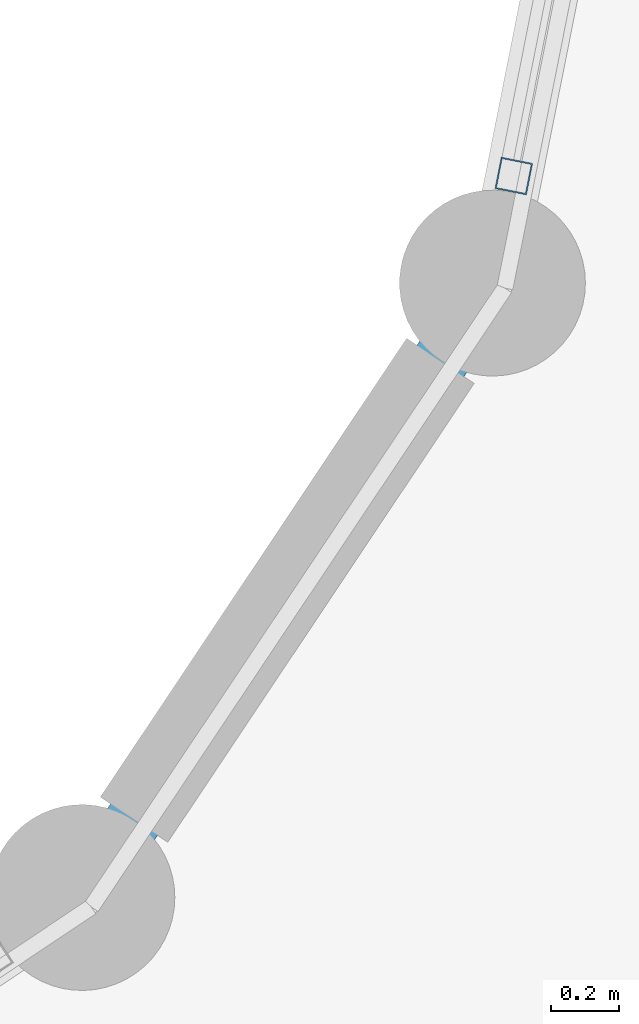
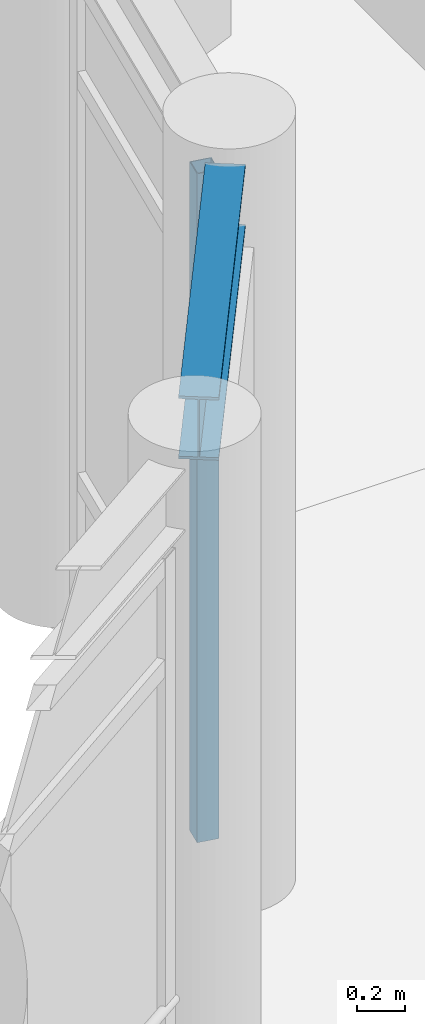
# One storey, part 11 of 149: 1 beam, 1 member, 1 element without a shape of its own.
"""IFC4 building model written with IfcOpenShell, lengths in metres."""

from ifc_helpers import new_model, si_unit, direction, frame, origin, origin_2d, place, context, subcontext, project, spatial, hollow_rectangle, i_section, extrude, material, material_profile, profile_set, type_object, element, aggregate, save


model = new_model("IFC4")

# Units and contexts
model_context = context("Model", 3, precision=1e-05, world=origin(), true_north=direction((0.0, 1.0)))
body_context = subcontext(model_context, "Body", "Model", "MODEL_VIEW")
ifc_project = project(units=[si_unit("LENGTHUNIT", "METRE"), si_unit("AREAUNIT", "SQUARE_METRE"), si_unit("VOLUMEUNIT", "CUBIC_METRE"), si_unit("PLANEANGLEUNIT", "RADIAN"), si_unit("MASSUNIT", "GRAM", prefix="KILO")], contexts=[model_context])

# Site, building, storey
site_placement = place(None, origin())
site = spatial("IfcSite", under=ifc_project, at=site_placement, CompositionType="ELEMENT")
building_placement = place(site_placement, origin())
building = spatial("IfcBuilding", under=site, at=building_placement, Name="Celadon Cloister-Ring School", CompositionType="ELEMENT")
storey_placement = place(building_placement, frame((0.0, 0.0, 12.5)))
storey = spatial("IfcBuildingStorey", under=building, at=storey_placement, Name="L03", CompositionType="ELEMENT", Elevation=12.5)

# Curtain wall, member
ifc_material_1 = material(Name="Aluminium EN AW-6063 T6", Category="aluminium")
curtain_wall_type = type_object("IfcCurtainWallType", Name="CW-06", PredefinedType="USERDEFINED", material=ifc_material_1)
curtain_wall_placement = place(storey_placement, origin())
curtain_wall = element("IfcCurtainWall", 1, at=curtain_wall_placement, inside=storey, type_object=curtain_wall_type, Name="Curtain Wall 0174", ObjectType="CURTAIN WALL", PredefinedType="USERDEFINED")
ifc_material_2 = material(Name="Aluminium EN AW-6063 T6", Category="aluminium")
ifc_material_profile_1 = material_profile(ifc_material_2, hollow_rectangle(XDim=0.094970703125, YDim=0.094970703125, WallThickness=0.00390625, at=origin_2d()), Name="RHS95X95X4")
ifc_profile_set_1 = profile_set([ifc_material_profile_1], Name="Aluminium EN AW-6063 T6")
member_type = type_object("IfcMemberType", Name="CM-02", PredefinedType="MULLION", material=ifc_profile_set_1)
member_placement = place(storey_placement, frame((25.437255859375, 18.173583984375, 0.0), z_axis=(0.0, 0.0, 1.0), x_axis=(-0.980885435464, 0.194586131301, 0.0)))
member = element("IfcMember", 2, at=member_placement, type_object=member_type, Name="CW-06 mullion 1", PredefinedType="MULLION", context=body_context, shape_type="SweptSolid", body=[
    extrude(hollow_rectangle(XDim=0.094970703125, YDim=0.094970703125, WallThickness=0.00390625, at=origin_2d()), origin(), (0.0, 0.0, 1.0), 3.375),
])
aggregate(curtain_wall, [member])

# Beam
ifc_material_3 = material(Name="Structural steel S355JR", Category="steel")
ifc_material_profile_2 = material_profile(ifc_material_3, i_section(OverallWidth=0.1669921875, OverallDepth=0.31689453125, WebThickness=0.007568359375, FlangeThickness=0.01318359375, at=origin_2d()), Name="W310X52")
ifc_profile_set_2 = profile_set([ifc_material_profile_2], Name="Structural steel S355JR")
beam_type = type_object("IfcBeamType", Name="SP-05", PredefinedType="SPANDREL", material=ifc_profile_set_2)
beam_placement = place(storey_placement, frame((24.299072265625, 16.248046875, 3.615966796875), z_axis=(0.555569328961, 0.831470216374, 0.0), x_axis=(-0.831470216374, 0.555569328961, 0.0)))
element("IfcBeam", 3, at=beam_placement, inside=storey, type_object=beam_type, Name="Beam 1111", PredefinedType="SPANDREL", context=body_context, shape_type="SweptSolid", body=[
    extrude(i_section(OverallWidth=0.1669921875, OverallDepth=0.31689453125, WebThickness=0.007568359375, FlangeThickness=0.01318359375, at=origin_2d()), origin(), (0.0, 0.0, 1.0), 1.684814453125),
])

save(model, "model.ifc")
